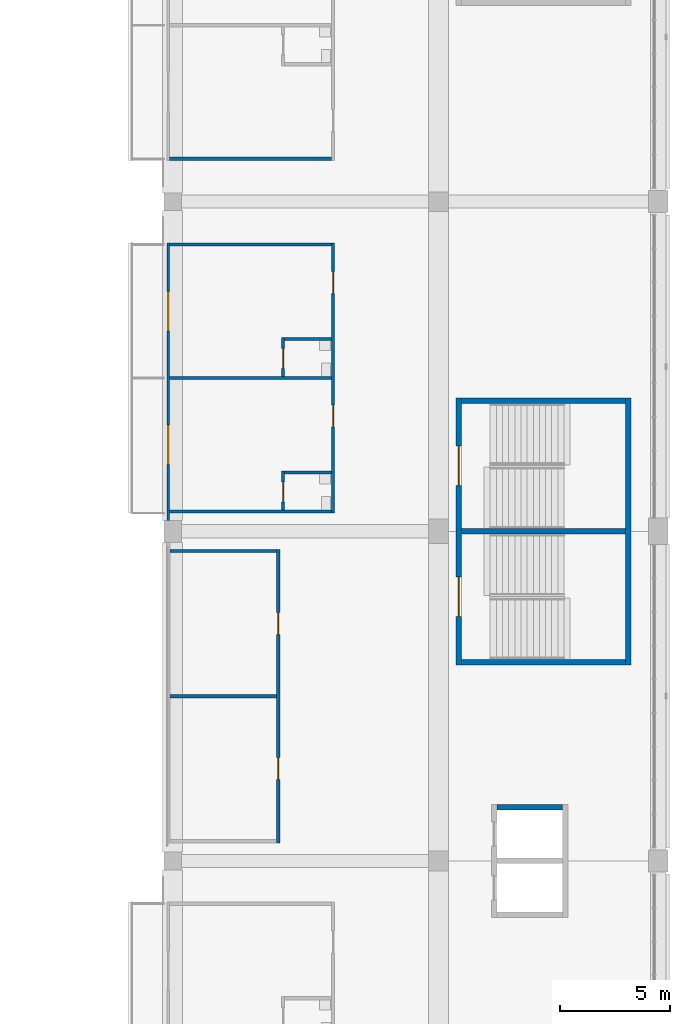
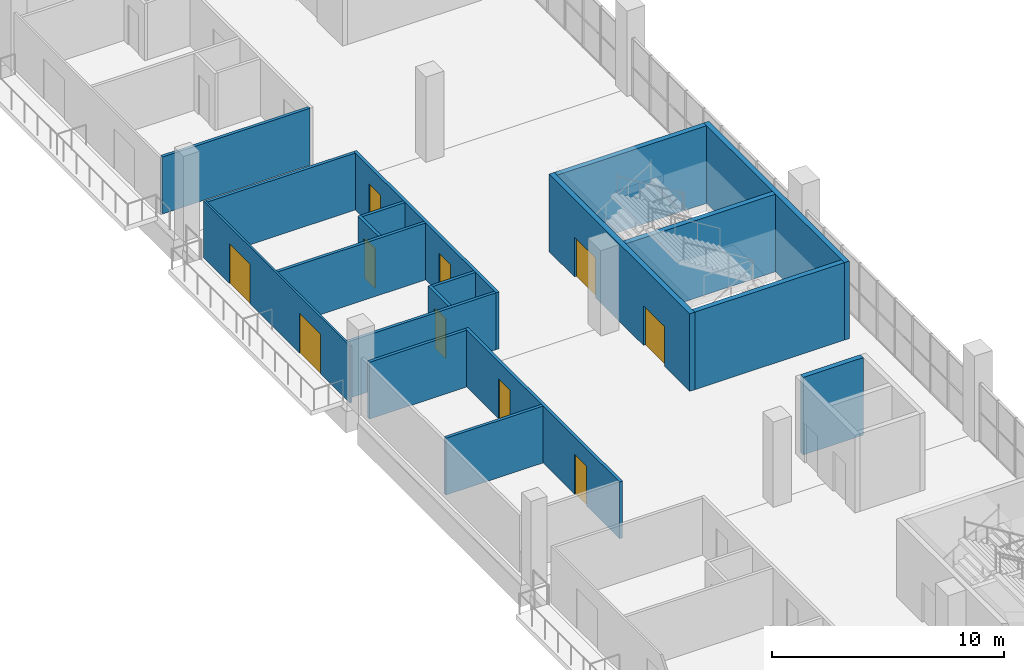
# One storey, part 81 of 199: 19 walls, 10 doors, 10 openings.
"""IFC4 building model written with IfcOpenShell, lengths in metres."""

from ifc_helpers import new_model, si_unit, direction, frame, frame_2d, origin, place, context, subcontext, project, spatial, rectangle, extrude, material, layer, layer_set, type_object, element, fill, save


model = new_model("IFC4")

# Units and contexts
model_context = context("Model", 3, precision=1e-05, world=origin(), true_north=direction((0.0, 1.0)))
body_context = subcontext(model_context, "Body", "Model", "MODEL_VIEW")
ifc_project = project(units=[si_unit("LENGTHUNIT", "METRE"), si_unit("AREAUNIT", "SQUARE_METRE"), si_unit("VOLUMEUNIT", "CUBIC_METRE"), si_unit("PLANEANGLEUNIT", "RADIAN"), si_unit("MASSUNIT", "GRAM", prefix="KILO")], contexts=[model_context])

# Site, building, storey
site_placement = place(None, origin())
site = spatial("IfcSite", under=ifc_project, at=site_placement, CompositionType="ELEMENT")
building_placement = place(site_placement, origin())
building = spatial("IfcBuilding", under=site, at=building_placement, Name="Ogive Plaza Stadium", CompositionType="ELEMENT")
storey_placement = place(building_placement, frame((0.0, 0.0, 9.0)))
storey = spatial("IfcBuildingStorey", under=building, at=storey_placement, Name="L02", CompositionType="ELEMENT", Elevation=9.0)

# Wall
ifc_material_1 = material(Name="Masonry blockwork", Category="masonry")
ifc_layer_1 = layer(ifc_material_1, 0.14990234375)
ifc_layer_set_1 = layer_set([ifc_layer_1], Name="Blockwork wall 150")
wall_type_1 = type_object("IfcWallType", Name="Blockwork wall 150", PredefinedType="SOLIDWALL", material=ifc_layer_set_1)
wall_1_placement = place(storey_placement, frame((61.75, 24.449951171875, 0.0), z_axis=(0.0, 0.0, 1.0), x_axis=(1.0, 0.0, 0.0)))
element("IfcWall", 1, at=wall_1_placement, inside=storey, type_object=wall_type_1, Name="Wall L02 B02", PredefinedType="SOLIDWALL", context=body_context, shape_type="SweptSolid", body=[
    extrude(rectangle(XDim=7.375, YDim=0.14990234375, at=frame_2d((3.6875, 0.0))), origin(), (0.0, 0.0, 1.0), 3.0),
])

# Wall, openings, doors
wall_2_placement = place(storey_placement, frame((69.199951171875, 8.324951171875, 0.0), z_axis=(0.0, 0.0, 1.0), x_axis=(0.0, 1.0, 0.0)))
wall_2 = element("IfcWall", 2, at=wall_2_placement, inside=storey, type_object=wall_type_1, Name="Wall L02 B03", PredefinedType="SOLIDWALL", context=body_context, shape_type="SweptSolid", body=[
    extrude(rectangle(XDim=12.300048828125, YDim=0.14990234375, at=frame_2d((6.14990234375, 0.0))), origin(), (0.0, 0.0, 1.0), 3.0),
])
opening_1_placement = place(wall_2_placement, frame((3.916015625, 0.0, 0.0)))
opening_1 = element("IfcOpeningElement", 3, at=opening_1_placement, cuts=wall_2, Name="Opening D0617", PredefinedType="OPENING", context=body_context, shape_type="SweptSolid", body=[
    extrude(rectangle(XDim=1.0, YDim=2.10009765625, at=frame_2d((0.5, 1.050048828125))), frame((0.0, 0.074951171875, 0.0), z_axis=(0.0, -1.0, 0.0), x_axis=(1.0, 0.0, 0.0)), (0.0, 0.0, 1.0), 0.14990234375),
])
opening_2_placement = place(wall_2_placement, frame((9.990966796875, 0.0, 0.0)))
opening_2 = element("IfcOpeningElement", 4, at=opening_2_placement, cuts=wall_2, Name="Opening D0618", PredefinedType="OPENING", context=body_context, shape_type="SweptSolid", body=[
    extrude(rectangle(XDim=1.0, YDim=2.10009765625, at=frame_2d((0.5, 1.050048828125))), frame((0.0, 0.074951171875, 0.0), z_axis=(0.0, -1.0, 0.0), x_axis=(1.0, 0.0, 0.0)), (0.0, 0.0, 1.0), 0.14990234375),
])
ifc_material_2 = material(Name="Steel ASTM A572 Grade 50", Category="steel")
door_type_1 = type_object("IfcDoorType", Name="Fire door FD30S 1000 x 2100", OperationType="SINGLE_SWING_LEFT", PredefinedType="DOOR", material=ifc_material_2)
door_1_placement = place(opening_1_placement, origin())
door_1 = element("IfcDoor", 5, at=door_1_placement, inside=storey, type_object=door_type_1, Name="Hospitality Suite B03 door", OperationType="SINGLE_SWING_LEFT", OverallHeight=2.10009765625, OverallWidth=1.0, PredefinedType="DOOR", context=body_context, shape_type="SweptSolid", body=[
    extrude(rectangle(XDim=1.0, YDim=2.10009765625, at=frame_2d((0.5, 1.050048828125))), frame((0.0, 0.02490234375, 0.0), z_axis=(0.0, -1.0, 0.0), x_axis=(1.0, 0.0, 0.0)), (0.0, 0.0, 1.0), 0.050048828125),
])
fill(opening_1, door_1)
door_2_placement = place(opening_2_placement, origin())
door_2 = element("IfcDoor", 6, at=door_2_placement, inside=storey, type_object=door_type_1, Name="Hospitality Suite B03 door", OperationType="SINGLE_SWING_LEFT", OverallHeight=2.10009765625, OverallWidth=1.0, PredefinedType="DOOR", context=body_context, shape_type="SweptSolid", body=[
    extrude(rectangle(XDim=1.0, YDim=2.10009765625, at=frame_2d((0.5, 1.050048828125))), frame((0.0, 0.02490234375, 0.0), z_axis=(0.0, -1.0, 0.0), x_axis=(1.0, 0.0, 0.0)), (0.0, 0.0, 1.0), 0.050048828125),
])
fill(opening_2, door_2)

# Walls
for number, where, z_axis, x_axis, name in (
    (7, (61.75, 8.39990234375, 0.0), (0.0, 0.0, 1.0), (1.0, 0.0, 0.0), "Wall L02 B03"),
    (8, (61.75, 14.47509765625, 0.0), (0.0, 0.0, 1.0), (1.0, 0.0, 0.0), "Wall L02 B03"),
    (9, (61.75, 20.550048828125, 0.0), (0.0, 0.0, 1.0), (1.0, 0.0, 0.0), "Wall L02 B03"),
):
    element("IfcWall", number, at=place(storey_placement, frame(where, z_axis=z_axis, x_axis=x_axis)), inside=storey, type_object=wall_type_1, Name=name, PredefinedType="SOLIDWALL", context=body_context, shape_type="SweptSolid", body=[
        extrude(rectangle(XDim=7.375, YDim=0.14990234375, at=frame_2d((3.6875, 0.0))), origin(), (0.0, 0.0, 1.0), 3.0),
    ])

# Wall, openings, doors
wall_3_placement = place(storey_placement, frame((66.699951171875, 6.675048828125, 0.0), z_axis=(0.0, 0.0, 1.0), x_axis=(0.0, -1.0, 0.0)))
wall_3 = element("IfcWall", 10, at=wall_3_placement, inside=storey, type_object=wall_type_1, Name="Wall L02 B04", PredefinedType="SOLIDWALL", context=body_context, shape_type="SweptSolid", body=[
    extrude(rectangle(XDim=13.35009765625, YDim=0.14990234375, at=frame_2d((6.675048828125, 0.0))), origin(), (0.0, 0.0, 1.0), 3.0),
])
opening_3_placement = place(wall_3_placement, frame((2.875, 0.0, 0.0)))
opening_3 = element("IfcOpeningElement", 11, at=opening_3_placement, cuts=wall_3, Name="Opening D0623", PredefinedType="OPENING", context=body_context, shape_type="SweptSolid", body=[
    extrude(rectangle(XDim=1.0, YDim=2.10009765625, at=frame_2d((0.5, 1.050048828125))), frame((0.0, 0.074951171875, 0.0), z_axis=(0.0, -1.0, 0.0), x_axis=(1.0, 0.0, 0.0)), (0.0, 0.0, 1.0), 0.14990234375),
])
opening_4_placement = place(wall_3_placement, frame((9.47509765625, 0.0, 0.0)))
opening_4 = element("IfcOpeningElement", 12, at=opening_4_placement, cuts=wall_3, Name="Opening D0624", PredefinedType="OPENING", context=body_context, shape_type="SweptSolid", body=[
    extrude(rectangle(XDim=1.0, YDim=2.10009765625, at=frame_2d((0.5, 1.050048828125))), frame((0.0, 0.074951171875, 0.0), z_axis=(0.0, -1.0, 0.0), x_axis=(1.0, 0.0, 0.0)), (0.0, 0.0, 1.0), 0.14990234375),
])
ifc_material_3 = material(Name="Steel ASTM A572 Grade 50", Category="steel")
door_type_2 = type_object("IfcDoorType", Name="Fire door FD60 1000 x 2100", OperationType="SINGLE_SWING_LEFT", PredefinedType="DOOR", material=ifc_material_3)
door_3_placement = place(opening_3_placement, origin())
door_3 = element("IfcDoor", 13, at=door_3_placement, inside=storey, type_object=door_type_2, Name="Hospitality Pantry B04 door", OperationType="SINGLE_SWING_RIGHT", OverallHeight=2.10009765625, OverallWidth=1.0, PredefinedType="DOOR", context=body_context, shape_type="SweptSolid", body=[
    extrude(rectangle(XDim=1.0, YDim=2.10009765625, at=frame_2d((0.5, 1.050048828125))), frame((0.0, 0.02490234375, 0.0), z_axis=(0.0, -1.0, 0.0), x_axis=(1.0, 0.0, 0.0)), (0.0, 0.0, 1.0), 0.050048828125),
])
fill(opening_3, door_3)
door_4_placement = place(opening_4_placement, origin())
door_4 = element("IfcDoor", 14, at=door_4_placement, inside=storey, type_object=door_type_2, Name="Hospitality Store B04 door", OperationType="SINGLE_SWING_LEFT", OverallHeight=2.10009765625, OverallWidth=1.0, PredefinedType="DOOR", context=body_context, shape_type="SweptSolid", body=[
    extrude(rectangle(XDim=1.0, YDim=2.10009765625, at=frame_2d((0.5, 1.050048828125))), frame((0.0, 0.02490234375, 0.0), z_axis=(0.0, -1.0, 0.0), x_axis=(1.0, 0.0, 0.0)), (0.0, 0.0, 1.0), 0.050048828125),
])
fill(opening_4, door_4)

# Walls
for number, where, z_axis, x_axis, name in (
    (15, (61.77490234375, 6.60009765625, 0.0), (0.0, 0.0, 1.0), (1.0, 0.0, 0.0), "Wall L02 B04"),
    (16, (61.77490234375, 0.0, 0.0), (0.0, 0.0, 1.0), (1.0, 0.0, 0.0), "Wall L02 B04"),
):
    element("IfcWall", number, at=place(storey_placement, frame(where, z_axis=z_axis, x_axis=x_axis)), inside=storey, type_object=wall_type_1, Name=name, PredefinedType="SOLIDWALL", context=body_context, shape_type="SweptSolid", body=[
        extrude(rectangle(XDim=4.85009765625, YDim=0.14990234375, at=frame_2d((2.425048828125, 0.0))), origin(), (0.0, 0.0, 1.0), 3.0),
    ])

# Wall, openings, doors
ifc_material_4 = material(Name="Concrete C40/50", Category="concrete")
ifc_layer_2 = layer(ifc_material_4, 0.25)
ifc_layer_set_2 = layer_set([ifc_layer_2], Name="Concrete C40/50")
wall_type_2 = type_object("IfcWallType", Name="Core wall 250", PredefinedType="SHEAR", material=ifc_layer_set_2)
wall_4_placement = place(storey_placement, frame((74.925048828125, 1.425048828125, 0.0), z_axis=(0.0, 0.0, 1.0), x_axis=(0.0, 1.0, 0.0)))
wall_4 = element("IfcWall", 17, at=wall_4_placement, inside=storey, type_object=wall_type_2, Name="Stair core R04 inner wall", PredefinedType="SHEAR", context=body_context, shape_type="SweptSolid", body=[
    extrude(rectangle(XDim=12.14990234375, YDim=0.25, at=frame_2d((6.074951171875, 0.0))), origin(), (0.0, 0.0, 1.0), 4.090087890625),
])
opening_5_placement = place(wall_4_placement, frame((2.199951171875, 0.0, 0.0)))
opening_5 = element("IfcOpeningElement", 18, at=opening_5_placement, cuts=wall_4, Name="Opening D0059", PredefinedType="OPENING", context=body_context, shape_type="SweptSolid", body=[
    extrude(rectangle(XDim=1.800048828125, YDim=2.10009765625, at=frame_2d((0.89990234375, 1.050048828125))), frame((0.0, 0.125, 0.0), z_axis=(0.0, -1.0, 0.0), x_axis=(1.0, 0.0, 0.0)), (0.0, 0.0, 1.0), 0.25),
])
opening_6_placement = place(wall_4_placement, frame((8.14990234375, 0.0, 0.0)))
opening_6 = element("IfcOpeningElement", 19, at=opening_6_placement, cuts=wall_4, Name="Opening D0060", PredefinedType="OPENING", context=body_context, shape_type="SweptSolid", body=[
    extrude(rectangle(XDim=1.800048828125, YDim=2.10009765625, at=frame_2d((0.89990234375, 1.050048828125))), frame((0.0, 0.125, 0.0), z_axis=(0.0, -1.0, 0.0), x_axis=(1.0, 0.0, 0.0)), (0.0, 0.0, 1.0), 0.25),
])
ifc_material_5 = material(Name="Steel ASTM A572 Grade 50", Category="steel")
door_type_3 = type_object("IfcDoorType", Name="Fire door FD90 pair 1800 x 2100", OperationType="DOUBLE_DOOR_SINGLE_SWING", PredefinedType="DOOR", material=ifc_material_5)
door_5_placement = place(opening_5_placement, origin())
door_5 = element("IfcDoor", 20, at=door_5_placement, inside=storey, type_object=door_type_3, Name="Exit stair R04A door L02", OperationType="DOUBLE_DOOR_SINGLE_SWING", OverallHeight=2.10009765625, OverallWidth=1.800048828125, PredefinedType="DOOR", context=body_context, shape_type="SweptSolid", body=[
    extrude(rectangle(XDim=1.800048828125, YDim=2.10009765625, at=frame_2d((0.89990234375, 1.050048828125))), frame((0.0, 0.02490234375, 0.0), z_axis=(0.0, -1.0, 0.0), x_axis=(1.0, 0.0, 0.0)), (0.0, 0.0, 1.0), 0.050048828125),
])
fill(opening_5, door_5)
door_6_placement = place(opening_6_placement, origin())
door_6 = element("IfcDoor", 21, at=door_6_placement, inside=storey, type_object=door_type_3, Name="Exit stair R04B door L02", OperationType="DOUBLE_DOOR_SINGLE_SWING", OverallHeight=2.10009765625, OverallWidth=1.800048828125, PredefinedType="DOOR", context=body_context, shape_type="SweptSolid", body=[
    extrude(rectangle(XDim=1.800048828125, YDim=2.10009765625, at=frame_2d((0.89990234375, 1.050048828125))), frame((0.0, 0.02490234375, 0.0), z_axis=(0.0, -1.0, 0.0), x_axis=(1.0, 0.0, 0.0)), (0.0, 0.0, 1.0), 0.050048828125),
])
fill(opening_6, door_6)

# Walls
wall_5_placement = place(storey_placement, frame((82.635009765625, 1.425048828125, 0.0), z_axis=(0.0, 0.0, 1.0), x_axis=(0.0, 1.0, 0.0)))
element("IfcWall", 22, at=wall_5_placement, inside=storey, type_object=wall_type_2, Name="Stair core R04 outer wall", PredefinedType="SHEAR", context=body_context, shape_type="SweptSolid", body=[
    extrude(rectangle(XDim=12.14990234375, YDim=0.25, at=frame_2d((6.074951171875, 0.0))), origin(), (0.0, 0.0, 1.0), 4.090087890625),
])
for number, where, z_axis, x_axis, name in (
    (23, (75.050048828125, 1.550048828125, 0.0), (0.0, 0.0, 1.0), (1.0, 0.0, 0.0), "Stair core R04 side wall"),
    (24, (75.050048828125, 13.449951171875, 0.0), (0.0, 0.0, 1.0), (1.0, 0.0, 0.0), "Stair core R04 side wall"),
    (25, (75.050048828125, 7.5, 0.0), (0.0, 0.0, 1.0), (1.0, 0.0, 0.0), "Stair core R04 centre wall"),
):
    element("IfcWall", number, at=place(storey_placement, frame(where, z_axis=z_axis, x_axis=x_axis)), inside=storey, type_object=wall_type_2, Name=name, PredefinedType="SHEAR", context=body_context, shape_type="SweptSolid", body=[
        extrude(rectangle(XDim=7.4599609375, YDim=0.25, at=frame_2d((3.72998046875, 0.0))), origin(), (0.0, 0.0, 1.0), 4.090087890625),
    ])
wall_6_placement = place(storey_placement, frame((76.64990234375, -5.050048828125, 0.0), z_axis=(0.0, 0.0, 1.0), x_axis=(1.0, 0.0, 0.0)))
element("IfcWall", 26, at=wall_6_placement, inside=storey, type_object=wall_type_2, Name="Lift core LP05 side wall", PredefinedType="SHEAR", context=body_context, shape_type="SweptSolid", body=[
    extrude(rectangle(XDim=3.0, YDim=0.25, at=frame_2d((1.5, 0.0))), origin(), (0.0, 0.0, 1.0), 4.090087890625),
])

# Wall, openings, doors
ifc_material_6 = material(Name="Laminated glass in aluminium frame", Category="aluminium")
ifc_layer_3 = layer(ifc_material_6, 0.10009765625)
ifc_layer_set_3 = layer_set([ifc_layer_3], Name="Glazed partition 100")
wall_type_3 = type_object("IfcWallType", Name="Glazed partition 100", PredefinedType="PARTITIONING", material=ifc_layer_set_3)
wall_7_placement = place(storey_placement, frame((61.699951171875, 8.0, 0.0), z_axis=(0.0, 0.0, 1.0), x_axis=(0.0, 1.0, 0.0)))
wall_7 = element("IfcWall", 27, at=wall_7_placement, inside=storey, type_object=wall_type_3, Name="Wall L02 B03", PredefinedType="PARTITIONING", context=body_context, shape_type="SweptSolid", body=[
    extrude(rectangle(XDim=12.625, YDim=0.10009765625, at=frame_2d((6.3125, 0.0))), origin(), (0.0, 0.0, 1.0), 3.0),
])
opening_7_placement = place(wall_7_placement, frame((2.53759765625, 0.0, 0.0)))
opening_7 = element("IfcOpeningElement", 28, at=opening_7_placement, cuts=wall_7, Name="Opening D0619", PredefinedType="OPENING", context=body_context, shape_type="SweptSolid", body=[
    extrude(rectangle(XDim=1.800048828125, YDim=2.10009765625, at=frame_2d((0.89990234375, 1.050048828125))), frame((0.0, 0.050048828125, 0.0), z_axis=(0.0, -1.0, 0.0), x_axis=(1.0, 0.0, 0.0)), (0.0, 0.0, 1.0), 0.10009765625),
])
opening_8_placement = place(wall_7_placement, frame((8.612548828125, 0.0, 0.0)))
opening_8 = element("IfcOpeningElement", 29, at=opening_8_placement, cuts=wall_7, Name="Opening D0620", PredefinedType="OPENING", context=body_context, shape_type="SweptSolid", body=[
    extrude(rectangle(XDim=1.800048828125, YDim=2.10009765625, at=frame_2d((0.89990234375, 1.050048828125))), frame((0.0, 0.050048828125, 0.0), z_axis=(0.0, -1.0, 0.0), x_axis=(1.0, 0.0, 0.0)), (0.0, 0.0, 1.0), 0.10009765625),
])
ifc_material_7 = material(Name="Steel ASTM A572 Grade 50", Category="steel")
door_type_4 = type_object("IfcDoorType", Name="Door pair 1800 x 2100", OperationType="DOUBLE_DOOR_SINGLE_SWING", PredefinedType="DOOR", material=ifc_material_7)
door_7_placement = place(opening_7_placement, origin())
door_7 = element("IfcDoor", 30, at=door_7_placement, inside=storey, type_object=door_type_4, Name="Suite terrace door B03", OperationType="DOUBLE_DOOR_SINGLE_SWING", OverallHeight=2.10009765625, OverallWidth=1.800048828125, PredefinedType="DOOR", context=body_context, shape_type="SweptSolid", body=[
    extrude(rectangle(XDim=1.800048828125, YDim=2.10009765625, at=frame_2d((0.89990234375, 1.050048828125))), frame((0.0, 0.02490234375, 0.0), z_axis=(0.0, -1.0, 0.0), x_axis=(1.0, 0.0, 0.0)), (0.0, 0.0, 1.0), 0.050048828125),
])
fill(opening_7, door_7)
door_8_placement = place(opening_8_placement, origin())
door_8 = element("IfcDoor", 31, at=door_8_placement, inside=storey, type_object=door_type_4, Name="Suite terrace door B03", OperationType="DOUBLE_DOOR_SINGLE_SWING", OverallHeight=2.10009765625, OverallWidth=1.800048828125, PredefinedType="DOOR", context=body_context, shape_type="SweptSolid", body=[
    extrude(rectangle(XDim=1.800048828125, YDim=2.10009765625, at=frame_2d((0.89990234375, 1.050048828125))), frame((0.0, 0.02490234375, 0.0), z_axis=(0.0, -1.0, 0.0), x_axis=(1.0, 0.0, 0.0)), (0.0, 0.0, 1.0), 0.050048828125),
])
fill(opening_8, door_8)

# Wall, opening, door
ifc_material_8 = material(Name="Gypsum board partition", Category="gypsum")
ifc_layer_4 = layer(ifc_material_8, 0.14990234375)
ifc_layer_set_4 = layer_set([ifc_layer_4], Name="Partition 150")
wall_type_4 = type_object("IfcWallType", Name="Partition 150", PredefinedType="PARTITIONING", material=ifc_layer_set_4)
wall_8_placement = place(storey_placement, frame((66.925048828125, 8.47509765625, 0.0), z_axis=(0.0, 0.0, 1.0), x_axis=(0.0, 1.0, 0.0)))
wall_8 = element("IfcWall", 32, at=wall_8_placement, inside=storey, type_object=wall_type_4, Name="Wall L02 B03", PredefinedType="PARTITIONING", context=body_context, shape_type="SweptSolid", body=[
    extrude(rectangle(XDim=1.77490234375, YDim=0.14990234375, at=frame_2d((0.887451171875, 0.0))), origin(), (0.0, 0.0, 1.0), 3.0),
])
opening_9_placement = place(wall_8_placement, frame((0.362548828125, 0.0, 0.0)))
opening_9 = element("IfcOpeningElement", 33, at=opening_9_placement, cuts=wall_8, Name="Opening D0621", PredefinedType="OPENING", context=body_context, shape_type="SweptSolid", body=[
    extrude(rectangle(XDim=0.89990234375, YDim=2.10009765625, at=frame_2d((0.449951171875, 1.050048828125))), frame((0.0, 0.074951171875, 0.0), z_axis=(0.0, -1.0, 0.0), x_axis=(1.0, 0.0, 0.0)), (0.0, 0.0, 1.0), 0.14990234375),
])
ifc_material_9 = material(Name="Steel ASTM A572 Grade 50", Category="steel")
door_type_5 = type_object("IfcDoorType", Name="Door 900 x 2100", OperationType="SINGLE_SWING_LEFT", PredefinedType="DOOR", material=ifc_material_9)
door_9_placement = place(opening_9_placement, origin())
door_9 = element("IfcDoor", 34, at=door_9_placement, inside=storey, type_object=door_type_5, Name="Suite WC B03 door", OperationType="SINGLE_SWING_RIGHT", OverallHeight=2.10009765625, OverallWidth=0.89990234375, PredefinedType="DOOR", context=body_context, shape_type="SweptSolid", body=[
    extrude(rectangle(XDim=0.89990234375, YDim=2.10009765625, at=frame_2d((0.449951171875, 1.050048828125))), frame((0.0, 0.02490234375, 0.0), z_axis=(0.0, -1.0, 0.0), x_axis=(1.0, 0.0, 0.0)), (0.0, 0.0, 1.0), 0.050048828125),
])
fill(opening_9, door_9)

# Wall
wall_9_placement = place(storey_placement, frame((67.0, 10.175048828125, 0.0), z_axis=(0.0, 0.0, 1.0), x_axis=(1.0, 0.0, 0.0)))
element("IfcWall", 35, at=wall_9_placement, inside=storey, type_object=wall_type_4, Name="Wall L02 B03", PredefinedType="PARTITIONING", context=body_context, shape_type="SweptSolid", body=[
    extrude(rectangle(XDim=2.125, YDim=0.14990234375, at=frame_2d((1.0625, 0.0))), origin(), (0.0, 0.0, 1.0), 3.0),
])

# Wall, opening, door
wall_10_placement = place(storey_placement, frame((66.925048828125, 14.550048828125, 0.0), z_axis=(0.0, 0.0, 1.0), x_axis=(0.0, 1.0, 0.0)))
wall_10 = element("IfcWall", 36, at=wall_10_placement, inside=storey, type_object=wall_type_4, Name="Wall L02 B03", PredefinedType="PARTITIONING", context=body_context, shape_type="SweptSolid", body=[
    extrude(rectangle(XDim=1.77490234375, YDim=0.14990234375, at=frame_2d((0.887451171875, 0.0))), origin(), (0.0, 0.0, 1.0), 3.0),
])
opening_10_placement = place(wall_10_placement, frame((0.362548828125, 0.0, 0.0)))
opening_10 = element("IfcOpeningElement", 37, at=opening_10_placement, cuts=wall_10, Name="Opening D0622", PredefinedType="OPENING", context=body_context, shape_type="SweptSolid", body=[
    extrude(rectangle(XDim=0.89990234375, YDim=2.10009765625, at=frame_2d((0.449951171875, 1.050048828125))), frame((0.0, 0.074951171875, 0.0), z_axis=(0.0, -1.0, 0.0), x_axis=(1.0, 0.0, 0.0)), (0.0, 0.0, 1.0), 0.14990234375),
])
door_10_placement = place(opening_10_placement, origin())
door_10 = element("IfcDoor", 38, at=door_10_placement, inside=storey, type_object=door_type_5, Name="Suite WC B03 door", OperationType="SINGLE_SWING_LEFT", OverallHeight=2.10009765625, OverallWidth=0.89990234375, PredefinedType="DOOR", context=body_context, shape_type="SweptSolid", body=[
    extrude(rectangle(XDim=0.89990234375, YDim=2.10009765625, at=frame_2d((0.449951171875, 1.050048828125))), frame((0.0, 0.02490234375, 0.0), z_axis=(0.0, -1.0, 0.0), x_axis=(1.0, 0.0, 0.0)), (0.0, 0.0, 1.0), 0.050048828125),
])
fill(opening_10, door_10)

# Wall
wall_11_placement = place(storey_placement, frame((67.0, 16.25, 0.0), z_axis=(0.0, 0.0, 1.0), x_axis=(1.0, 0.0, 0.0)))
element("IfcWall", 39, at=wall_11_placement, inside=storey, type_object=wall_type_4, Name="Wall L02 B03", PredefinedType="PARTITIONING", context=body_context, shape_type="SweptSolid", body=[
    extrude(rectangle(XDim=2.125, YDim=0.14990234375, at=frame_2d((1.0625, 0.0))), origin(), (0.0, 0.0, 1.0), 3.0),
])

save(model, "model.ifc")
